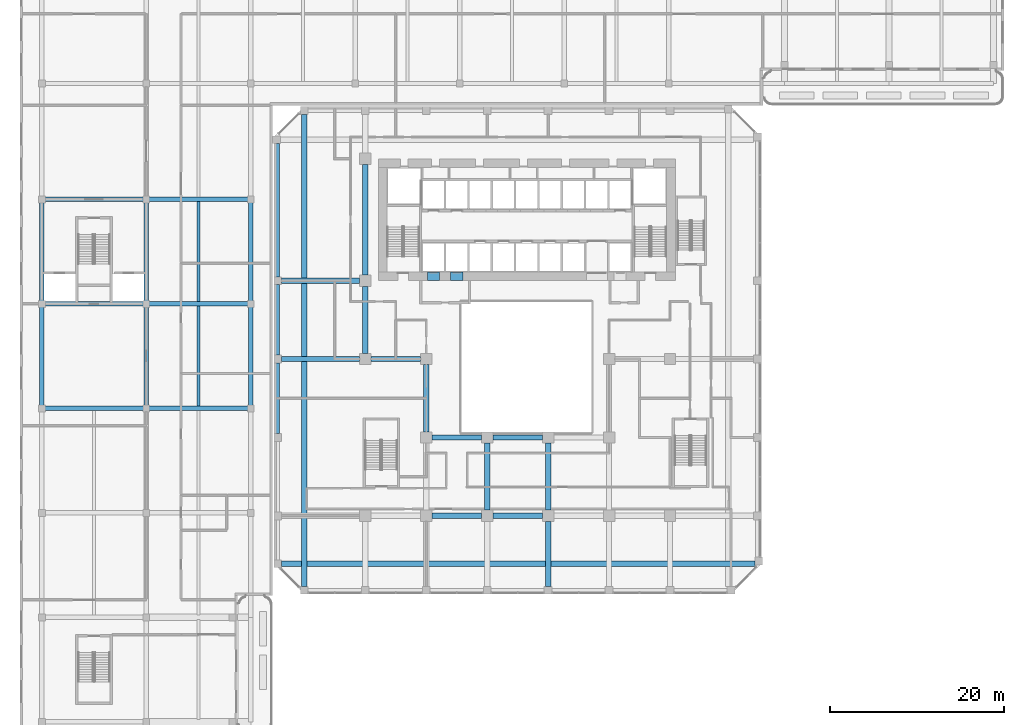
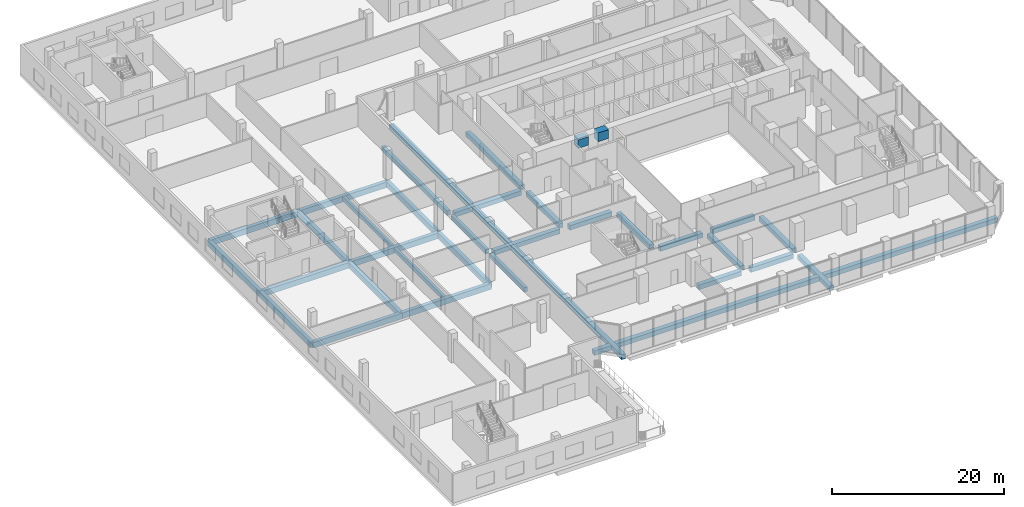
# One storey, part 4 of 35: 34 beams.
"""IFC4 building model written with IfcOpenShell, lengths in metres."""

from ifc_helpers import new_model, si_unit, direction, frame, origin, origin_2d, place, context, subcontext, project, spatial, rectangle, extrude, source, transform, mapped, material, material_profile, profile_set, type_object, element, save


model = new_model("IFC4")

# Units and contexts
model_context = context("Model", 3, precision=1e-05, world=origin(), true_north=direction((0.0, 1.0)))
body_context = subcontext(model_context, "Body", "Model", "MODEL_VIEW")
ifc_project = project(units=[si_unit("LENGTHUNIT", "METRE"), si_unit("AREAUNIT", "SQUARE_METRE"), si_unit("VOLUMEUNIT", "CUBIC_METRE"), si_unit("PLANEANGLEUNIT", "RADIAN"), si_unit("MASSUNIT", "GRAM", prefix="KILO")], contexts=[model_context])

# Site, building, storey
site_placement = place(None, origin())
site = spatial("IfcSite", under=ifc_project, at=site_placement, CompositionType="ELEMENT")
building_placement = place(site_placement, origin())
building = spatial("IfcBuilding", under=site, at=building_placement, Name="Kilnfold Tower and Market Hall", CompositionType="ELEMENT")
storey_placement = place(building_placement, frame((0.0, 0.0, 13.5)))
storey = spatial("IfcBuildingStorey", under=building, at=storey_placement, Name="L02", CompositionType="ELEMENT", Elevation=13.5)

# Beams
ifc_material_1 = material(Name="Concrete C40/50", Category="concrete")
ifc_material_profile_1 = material_profile(ifc_material_1, rectangle(XDim=0.5, YDim=0.800048828125, at=origin_2d()), Name="RC 500x800")
ifc_profile_set_1 = profile_set([ifc_material_profile_1], Name="Concrete C40/50")
beam_type_1 = type_object("IfcBeamType", Name="HALL GIRDER 500X800", PredefinedType="BEAM", material=ifc_profile_set_1)
for number, where, z_axis, x_axis, name in (
    (1, (-54.64990234375, -6.64990234375, -0.800048828125), (0.0, 1.0, 0.0), (-1.0, 0.0, 0.0), "Beam MG2.7"),
    (2, (-54.64990234375, -6.64990234375, -0.800048828125), (1.0, 0.0, 0.0), (0.0, 1.0, 0.0), "Beam MG2.8"),
    (3, (-54.64990234375, 5.35009765625, -0.800048828125), (0.0, 1.0, 0.0), (-1.0, 0.0, 0.0), "Beam MG2.9"),
    (4, (-54.64990234375, 5.35009765625, -0.800048828125), (1.0, 0.0, 0.0), (0.0, 1.0, 0.0), "Beam MG2.10"),
    (5, (-54.64990234375, 17.35009765625, -0.800048828125), (1.0, 0.0, 0.0), (0.0, 1.0, 0.0), "Beam MG2.12"),
    (6, (-42.64990234375, -6.64990234375, -0.800048828125), (0.0, 1.0, 0.0), (-1.0, 0.0, 0.0), "Beam MG2.22"),
    (7, (-42.64990234375, -6.64990234375, -0.800048828125), (1.0, 0.0, 0.0), (0.0, 1.0, 0.0), "Beam MG2.23"),
    (8, (-42.64990234375, 5.35009765625, -0.800048828125), (0.0, 1.0, 0.0), (-1.0, 0.0, 0.0), "Beam MG2.24"),
    (9, (-42.64990234375, 5.35009765625, -0.800048828125), (1.0, 0.0, 0.0), (0.0, 1.0, 0.0), "Beam MG2.25"),
    (10, (-42.64990234375, 17.35009765625, -0.800048828125), (1.0, 0.0, 0.0), (0.0, 1.0, 0.0), "Beam MG2.27"),
    (11, (-30.64990234375, -6.64990234375, -0.800048828125), (0.0, 1.0, 0.0), (-1.0, 0.0, 0.0), "Beam MG2.36"),
    (12, (-30.64990234375, 5.35009765625, -0.800048828125), (0.0, 1.0, 0.0), (-1.0, 0.0, 0.0), "Beam MG2.37"),
):
    element("IfcBeam", number, at=place(storey_placement, frame(where, z_axis=z_axis, x_axis=x_axis)), inside=storey, type_object=beam_type_1, Name=name, PredefinedType="BEAM", context=body_context, shape_type="SweptSolid", body=[
        extrude(rectangle(XDim=0.5, YDim=0.800048828125, at=origin_2d()), origin(), (0.0, 0.0, 1.0), 12.0),
    ])
ifc_material_2 = material(Name="Concrete C40/50", Category="concrete")
ifc_material_profile_2 = material_profile(ifc_material_2, rectangle(XDim=0.35009765625, YDim=0.60009765625, at=origin_2d()), Name="RC 350x600")
ifc_profile_set_2 = profile_set([ifc_material_profile_2], Name="Concrete C40/50")
beam_type_2 = type_object("IfcBeamType", Name="HALL JOIST 350X600", PredefinedType="BEAM", material=ifc_profile_set_2)
for number, where, z_axis, x_axis, name in (
    (13, (-36.64990234375, -6.39990234375, -0.699951171875), (0.0, 1.0, 0.0), (-1.0, 0.0, 0.0), "Beam MJ1.6"),
    (14, (-36.64990234375, 5.60009765625, -0.699951171875), (0.0, 1.0, 0.0), (-1.0, 0.0, 0.0), "Beam MJ1.7"),
):
    element("IfcBeam", number, at=place(storey_placement, frame(where, z_axis=z_axis, x_axis=x_axis)), inside=storey, type_object=beam_type_2, Name=name, PredefinedType="BEAM", context=body_context, shape_type="SweptSolid", body=[
        extrude(rectangle(XDim=0.35009765625, YDim=0.60009765625, at=origin_2d()), origin(), (0.0, 0.0, 1.0), 11.5),
    ])
ifc_material_3 = material(Name="Concrete C80", Category="concrete")
ifc_material_profile_3 = material_profile(ifc_material_3, rectangle(XDim=1.0, YDim=1.199951171875, at=origin_2d()), Name="RC 1000x1200")
ifc_profile_set_3 = profile_set([ifc_material_profile_3], Name="Concrete C80")
beam_type_3 = type_object("IfcBeamType", Name="COUPLING BEAM 1000X1200 C80", PredefinedType="BEAM", material=ifc_profile_set_3)
shared_shape_1 = source(origin(), body_context, "Body", "SweptSolid", [
    extrude(rectangle(XDim=1.0, YDim=1.199951171875, at=origin_2d()), origin(), (0.0, 0.0, 1.0), 1.400146484375),
])
beam_1_placement = place(storey_placement, frame((-10.3701171875, 8.5, 3.300048828125), z_axis=(1.0, 0.0, 0.0), x_axis=(0.0, 1.0, 0.0)))
element("IfcBeam", 15, at=beam_1_placement, inside=storey, type_object=beam_type_3, Name="Coupling beam CB1200-80-CORE.42", PredefinedType="BEAM", context=body_context, shape_type="MappedRepresentation", body=[
    mapped(shared_shape_1, transform((0.0, 0.0, 0.0))),
])
ifc_material_4 = material(Name="Concrete C80", Category="concrete")
ifc_material_profile_4 = material_profile(ifc_material_4, rectangle(XDim=1.0, YDim=1.25, at=origin_2d()), Name="RC 1000x1250")
ifc_profile_set_4 = profile_set([ifc_material_profile_4], Name="Concrete C80")
beam_type_4 = type_object("IfcBeamType", Name="COUPLING BEAM 1000X1250 C80", PredefinedType="BEAM", material=ifc_profile_set_4)
shared_shape_2 = source(origin(), body_context, "Body", "SweptSolid", [
    extrude(rectangle(XDim=1.0, YDim=1.25, at=origin_2d()), origin(), (0.0, 0.0, 1.0), 1.39990234375),
])
beam_2_placement = place(storey_placement, frame((-7.68994140625, 8.5, 3.324951171875), z_axis=(1.0, 0.0, 0.0), x_axis=(0.0, 1.0, 0.0)))
element("IfcBeam", 16, at=beam_2_placement, inside=storey, type_object=beam_type_4, Name="Coupling beam CB1250-80-CORE.44", PredefinedType="BEAM", context=body_context, shape_type="MappedRepresentation", body=[
    mapped(shared_shape_2, transform((0.0, 0.0, 0.0))),
])
ifc_material_5 = material(Name="Concrete C45", Category="concrete")
ifc_material_profile_5 = material_profile(ifc_material_5, rectangle(XDim=0.60009765625, YDim=0.64990234375, at=origin_2d()), Name="RC 600x650")
ifc_profile_set_5 = profile_set([ifc_material_profile_5], Name="Concrete C45")
beam_type_5 = type_object("IfcBeamType", Name="BEAM 600X650 C45", PredefinedType="BEAM", material=ifc_profile_set_5)
shared_shape_3 = source(origin(), body_context, "Body", "SweptSolid", [
    extrude(rectangle(XDim=0.60009765625, YDim=0.64990234375, at=origin_2d()), origin(), (0.0, 0.0, 1.0), 8.9501953125),
])
for number, where, z_axis, x_axis, name in (
    (17, (-27.10009765625, -1.0, -0.72509765625), (1.0, 0.0, 0.0), (0.0, 1.0, 0.0), "Beam BB650-B1.16"),
    (18, (-27.10009765625, 8.0, -0.72509765625), (1.0, 0.0, 0.0), (0.0, 1.0, 0.0), "Beam BB650-B1.21"),
):
    element("IfcBeam", number, at=place(storey_placement, frame(where, z_axis=z_axis, x_axis=x_axis)), inside=storey, type_object=beam_type_5, Name=name, PredefinedType="BEAM", context=body_context, shape_type="MappedRepresentation", body=[
        mapped(shared_shape_3, transform((0.0, 0.0, 0.0))),
    ])
shared_shape_4 = source(origin(), body_context, "Body", "SweptSolid", [
    extrude(rectangle(XDim=0.60009765625, YDim=0.64990234375, at=origin_2d()), origin(), (0.0, 0.0, 1.0), 5.7001953125),
])
for number, where, z_axis, x_axis, name in (
    (19, (-9.85009765625, -19.0, -0.72509765625), (1.0, 0.0, 0.0), (0.0, 1.0, 0.0), "Beam BB650-B1.8"),
    (20, (-2.85009765625, -19.0, -0.72509765625), (1.0, 0.0, 0.0), (0.0, 1.0, 0.0), "Beam BB650-B1.9"),
    (21, (-9.85009765625, -10.0, -0.72509765625), (1.0, 0.0, 0.0), (0.0, 1.0, 0.0), "Beam BB650-B1.13"),
    (22, (-2.85009765625, -10.0, -0.72509765625), (1.0, 0.0, 0.0), (0.0, 1.0, 0.0), "Beam BB650-B1.14"),
    (23, (-16.85009765625, -1.0, -0.72509765625), (1.0, 0.0, 0.0), (0.0, 1.0, 0.0), "Beam BB650-B1.17"),
):
    element("IfcBeam", number, at=place(storey_placement, frame(where, z_axis=z_axis, x_axis=x_axis)), inside=storey, type_object=beam_type_5, Name=name, PredefinedType="BEAM", context=body_context, shape_type="MappedRepresentation", body=[
        mapped(shared_shape_4, transform((0.0, 0.0, 0.0))),
    ])
shared_shape_5 = source(origin(), body_context, "Body", "SweptSolid", [
    extrude(rectangle(XDim=0.60009765625, YDim=0.64990234375, at=origin_2d()), origin(), (0.0, 0.0, 1.0), 54.331787109375),
])
beam_3_placement = place(storey_placement, frame((-27.10009765625, -24.5, -0.72509765625), z_axis=(1.0, 0.0, 0.0), x_axis=(0.0, 1.0, 0.0)))
element("IfcBeam", 24, at=beam_3_placement, inside=storey, type_object=beam_type_5, Name="Beam BB650-B1.55", PredefinedType="BEAM", context=body_context, shape_type="MappedRepresentation", body=[
    mapped(shared_shape_5, transform((0.0, 0.0, 0.0))),
])
ifc_material_6 = material(Name="Concrete C45", Category="concrete")
ifc_material_profile_6 = material_profile(ifc_material_6, rectangle(XDim=0.449951171875, YDim=0.64990234375, at=origin_2d()), Name="RC 450x650")
ifc_profile_set_6 = profile_set([ifc_material_profile_6], Name="Concrete C45")
beam_type_6 = type_object("IfcBeamType", Name="EDGE BEAM 450X650 C45", PredefinedType="BEAM", material=ifc_profile_set_6)
shared_shape_6 = source(origin(), body_context, "Body", "SweptSolid", [
    extrude(rectangle(XDim=0.449951171875, YDim=0.64990234375, at=origin_2d()), origin(), (0.0, 0.0, 1.0), 8.10009765625),
])
for number, where, z_axis, x_axis, name in (
    (25, (-27.550048828125, -9.550048828125, -0.72509765625), (0.0, 1.0, 0.0), (-1.0, 0.0, 0.0), "Beam EB650-B1.32"),
    (26, (-27.550048828125, -0.550048828125, -0.72509765625), (0.0, 1.0, 0.0), (-1.0, 0.0, 0.0), "Beam EB650-B1.33"),
):
    element("IfcBeam", number, at=place(storey_placement, frame(where, z_axis=z_axis, x_axis=x_axis)), inside=storey, type_object=beam_type_6, Name=name, PredefinedType="BEAM", context=body_context, shape_type="MappedRepresentation", body=[
        mapped(shared_shape_6, transform((0.0, 0.0, 0.0))),
    ])
shared_shape_7 = source(origin(), body_context, "Body", "SweptSolid", [
    extrude(rectangle(XDim=0.449951171875, YDim=0.64990234375, at=origin_2d()), origin(), (0.0, 0.0, 1.0), 15.28173828125),
])
beam_4_placement = place(storey_placement, frame((-27.550048828125, 8.449951171875, -0.72509765625), z_axis=(0.0, 1.0, 0.0), x_axis=(-1.0, 0.0, 0.0)))
element("IfcBeam", 27, at=beam_4_placement, inside=storey, type_object=beam_type_6, Name="Beam EB650-B1.34", PredefinedType="BEAM", context=body_context, shape_type="MappedRepresentation", body=[
    mapped(shared_shape_7, transform((0.0, 0.0, 0.0))),
])
shared_shape_8 = source(origin(), body_context, "Body", "SweptSolid", [
    extrude(rectangle(XDim=0.60009765625, YDim=0.64990234375, at=origin_2d()), origin(), (0.0, 0.0, 1.0), 54.2001953125),
])
beam_5_placement = place(storey_placement, frame((-24.5, -27.10009765625, -0.72509765625), z_axis=(0.0, 1.0, 0.0), x_axis=(-1.0, 0.0, 0.0)))
element("IfcBeam", 28, at=beam_5_placement, inside=storey, type_object=beam_type_5, Name="Beam BB650-B1.35", PredefinedType="BEAM", context=body_context, shape_type="MappedRepresentation", body=[
    mapped(shared_shape_8, transform((0.0, 0.0, 0.0))),
])
shared_shape_9 = source(origin(), body_context, "Body", "SweptSolid", [
    extrude(rectangle(XDim=0.60009765625, YDim=0.64990234375, at=origin_2d()), origin(), (0.0, 0.0, 1.0), 7.4501953125),
])
beam_6_placement = place(storey_placement, frame((3.5, -27.10009765625, -0.72509765625), z_axis=(0.0, 1.0, 0.0), x_axis=(-1.0, 0.0, 0.0)))
element("IfcBeam", 29, at=beam_6_placement, inside=storey, type_object=beam_type_5, Name="Beam BB650-B1.45", PredefinedType="BEAM", context=body_context, shape_type="MappedRepresentation", body=[
    mapped(shared_shape_9, transform((0.0, 0.0, 0.0))),
])
shared_shape_10 = source(origin(), body_context, "Body", "SweptSolid", [
    extrude(rectangle(XDim=0.60009765625, YDim=0.64990234375, at=origin_2d()), origin(), (0.0, 0.0, 1.0), 7.7001953125),
])
for number, where, z_axis, x_axis, name in (
    (30, (-17.5, -0.35009765625, -0.72509765625), (0.0, 1.0, 0.0), (-1.0, 0.0, 0.0), "Beam BB650-B1.37"),
    (31, (-10.5, -9.35009765625, -0.72509765625), (0.0, 1.0, 0.0), (-1.0, 0.0, 0.0), "Beam BB650-B1.42"),
    (32, (-3.5, -18.35009765625, -0.72509765625), (0.0, 1.0, 0.0), (-1.0, 0.0, 0.0), "Beam BB650-B1.44"),
    (33, (3.5, -18.35009765625, -0.72509765625), (0.0, 1.0, 0.0), (-1.0, 0.0, 0.0), "Beam BB650-B1.46"),
):
    element("IfcBeam", number, at=place(storey_placement, frame(where, z_axis=z_axis, x_axis=x_axis)), inside=storey, type_object=beam_type_5, Name=name, PredefinedType="BEAM", context=body_context, shape_type="MappedRepresentation", body=[
        mapped(shared_shape_10, transform((0.0, 0.0, 0.0))),
    ])
shared_shape_11 = source(origin(), body_context, "Body", "SweptSolid", [
    extrude(rectangle(XDim=0.60009765625, YDim=0.64990234375, at=origin_2d()), origin(), (0.0, 0.0, 1.0), 12.7001953125),
])
beam_7_placement = place(storey_placement, frame((-17.5, 8.64990234375, -0.72509765625), z_axis=(0.0, 1.0, 0.0), x_axis=(-1.0, 0.0, 0.0)))
element("IfcBeam", 34, at=beam_7_placement, inside=storey, type_object=beam_type_5, Name="Beam BB650-B1.38", PredefinedType="BEAM", context=body_context, shape_type="MappedRepresentation", body=[
    mapped(shared_shape_11, transform((0.0, 0.0, 0.0))),
])

save(model, "model.ifc")
